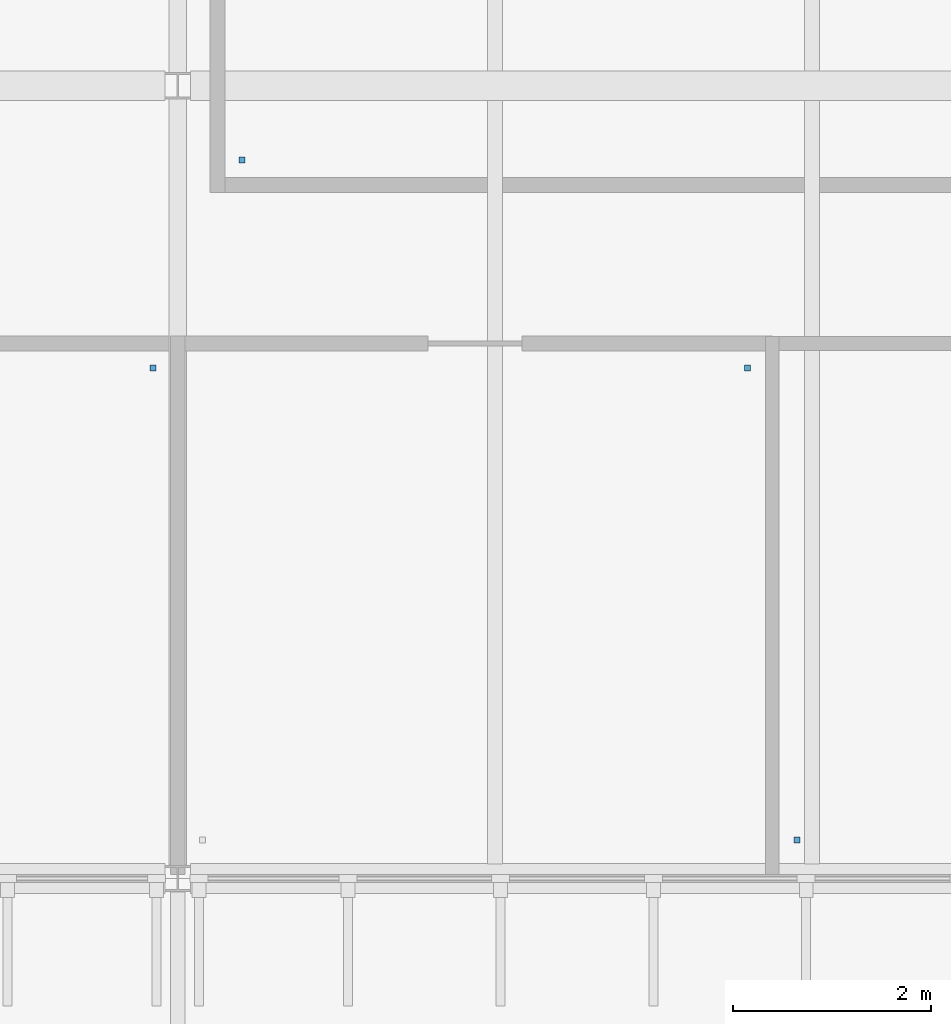
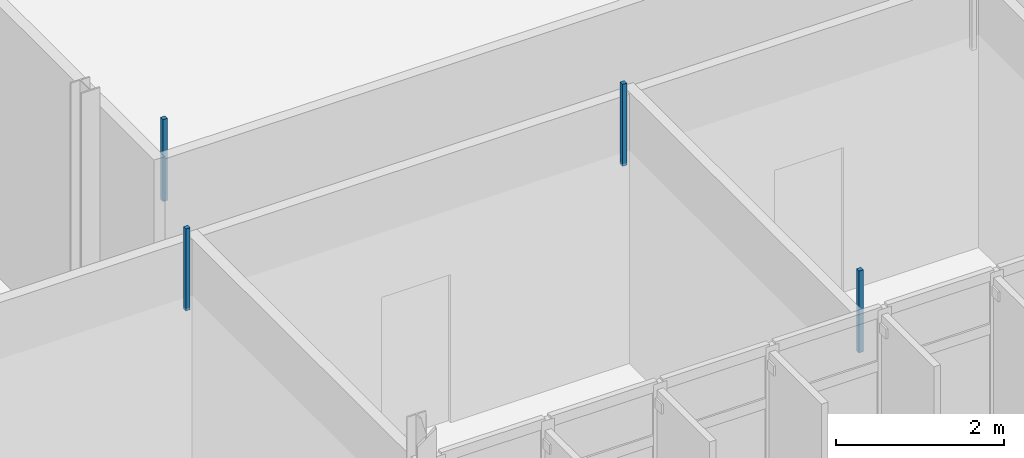
# One storey, part 85 of 107: 4 discrete accessories.
"""IFC4 building model written with IfcOpenShell, lengths in metres."""

from ifc_helpers import new_model, si_unit, direction, frame, origin, place, context, subcontext, project, spatial, polyline, outline, extrude, material, type_object, element, save


model = new_model("IFC4")

# Units and contexts
model_context = context("Model", 3, precision=1e-05, world=origin(), true_north=direction((0.0, 1.0)))
body_context = subcontext(model_context, "Body", "Model", "MODEL_VIEW")
ifc_project = project(units=[si_unit("LENGTHUNIT", "METRE"), si_unit("AREAUNIT", "SQUARE_METRE"), si_unit("VOLUMEUNIT", "CUBIC_METRE"), si_unit("PLANEANGLEUNIT", "RADIAN"), si_unit("MASSUNIT", "GRAM", prefix="KILO")], contexts=[model_context])

# Site, building, storey
site_placement = place(None, origin())
site = spatial("IfcSite", under=ifc_project, at=site_placement, CompositionType="ELEMENT")
building_placement = place(site_placement, origin())
building = spatial("IfcBuilding", under=site, at=building_placement, Name="Dunescarp Central Library", CompositionType="ELEMENT")
storey_placement = place(building_placement, frame((0.0, 0.0, 5.10009765625)))
storey = spatial("IfcBuildingStorey", under=building, at=storey_placement, Name="L01", CompositionType="ELEMENT", Elevation=5.10009765625)

# Discrete accessories
ifc_material = material(Name="Stainless steel Grade 316L", Category="steel")
discrete_accessory_type = type_object("IfcDiscreteAccessoryType", Name="ARC-ACC-BRK", PredefinedType="BRACKET", material=ifc_material)
discrete_accessory_1_placement = place(storey_placement, frame((0.0, 0.0, 3.059814453125)))
element("IfcDiscreteAccessory", 1, at=discrete_accessory_1_placement, inside=storey, type_object=discrete_accessory_type, Name="L01 ceiling hanger CLG-L01-145-H1", PredefinedType="BRACKET", context=body_context, shape_type="SweptSolid", body=[
    extrude(outline(polyline([(155.02001953125, 5.159912109375), (155.080078125, 5.159912109375), (155.080078125, 5.219970703125), (155.02001953125, 5.219970703125), (155.02001953125, 5.159912109375)])), origin(), (0.0, 0.0, 1.0), 1.190185546875),
])
discrete_accessory_2_placement = place(storey_placement, frame((0.0, 0.0, 3.059814453125)))
element("IfcDiscreteAccessory", 2, at=discrete_accessory_2_placement, inside=storey, type_object=discrete_accessory_type, Name="L01 ceiling hanger CLG-L01-146-H2", PredefinedType="BRACKET", context=body_context, shape_type="SweptSolid", body=[
    extrude(outline(polyline([(148.52001953125, 9.919921875), (148.580078125, 9.919921875), (148.580078125, 9.97998046875), (148.52001953125, 9.97998046875), (148.52001953125, 9.919921875)])), origin(), (0.0, 0.0, 1.0), 1.190185546875),
])
discrete_accessory_3_placement = place(storey_placement, frame((0.0, 0.0, 3.059814453125)))
element("IfcDiscreteAccessory", 3, at=discrete_accessory_3_placement, inside=storey, type_object=discrete_accessory_type, Name="L01 ceiling hanger CLG-L01-147-H2", PredefinedType="BRACKET", context=body_context, shape_type="SweptSolid", body=[
    extrude(outline(polyline([(154.52001953125, 9.919921875), (154.580078125, 9.919921875), (154.580078125, 9.97998046875), (154.52001953125, 9.97998046875), (154.52001953125, 9.919921875)])), origin(), (0.0, 0.0, 1.0), 1.190185546875),
])
discrete_accessory_4_placement = place(storey_placement, frame((0.0, 0.0, 3.059814453125)))
element("IfcDiscreteAccessory", 4, at=discrete_accessory_4_placement, inside=storey, type_object=discrete_accessory_type, Name="L01 ceiling hanger CLG-L01-149-H1", PredefinedType="BRACKET", context=body_context, shape_type="SweptSolid", body=[
    extrude(outline(polyline([(149.419921875, 12.02001953125), (149.47998046875, 12.02001953125), (149.47998046875, 12.080078125), (149.419921875, 12.080078125), (149.419921875, 12.02001953125)])), origin(), (0.0, 0.0, 1.0), 1.190185546875),
])

save(model, "model.ifc")
